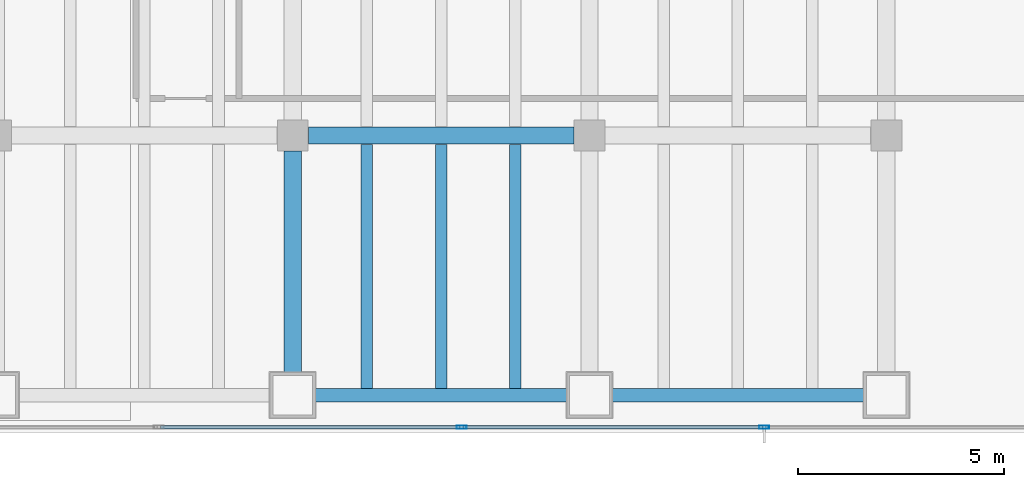
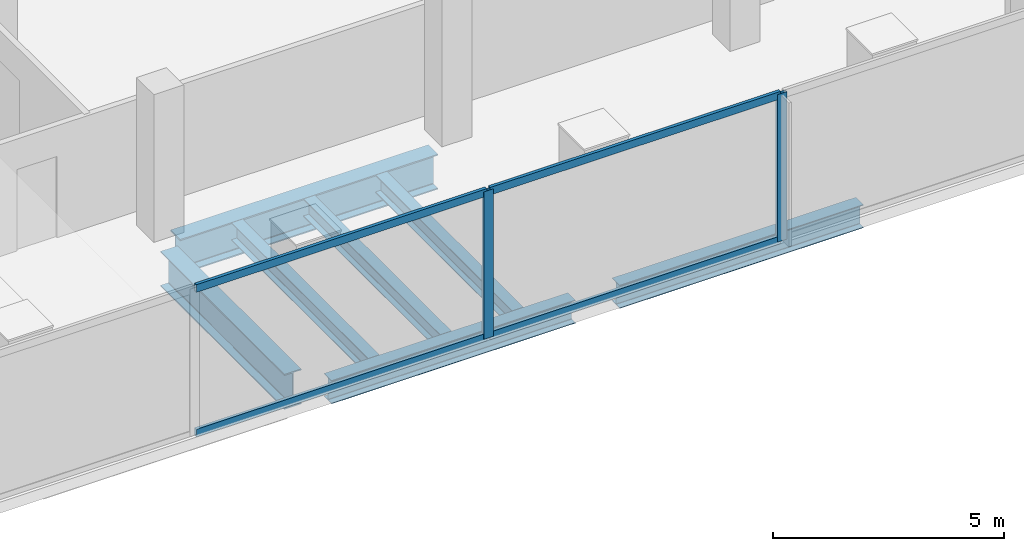
# One storey, part 16 of 32: 7 beams, 6 members, 1 element without a shape of its own.
"""IFC4 building model written with IfcOpenShell, lengths in metres."""

from ifc_helpers import new_model, si_unit, direction, frame, origin, origin_2d, place, context, subcontext, project, spatial, hollow_rectangle, i_section, extrude, material, material_profile, profile_set, type_object, element, aggregate, save


model = new_model("IFC4")

# Units and contexts
model_context = context("Model", 3, precision=1e-05, world=origin(), true_north=direction((0.0, 1.0)))
body_context = subcontext(model_context, "Body", "Model", "MODEL_VIEW")
ifc_project = project(units=[si_unit("LENGTHUNIT", "METRE"), si_unit("AREAUNIT", "SQUARE_METRE"), si_unit("VOLUMEUNIT", "CUBIC_METRE"), si_unit("PLANEANGLEUNIT", "RADIAN"), si_unit("MASSUNIT", "GRAM", prefix="KILO")], contexts=[model_context])

# Site, building, storey
site_placement = place(None, origin())
site = spatial("IfcSite", under=ifc_project, at=site_placement, CompositionType="ELEMENT")
building_placement = place(site_placement, origin())
building = spatial("IfcBuilding", under=site, at=building_placement, Name="Cobrela Telecom Tower", CompositionType="ELEMENT")
storey_placement = place(building_placement, frame((0.0, 0.0, 22.050048828125)))
storey = spatial("IfcBuildingStorey", under=building, at=storey_placement, Name="L05", CompositionType="ELEMENT", Elevation=22.050048828125)

# Beams
ifc_material_1 = material(Name="Steel ASTM A992 Grade 50", Category="steel")
ifc_material_profile_1 = material_profile(ifc_material_1, i_section(OverallWidth=0.4189453125, OverallDepth=0.927001953125, WebThickness=0.019287109375, FlangeThickness=0.031982421875, FilletRadius=0.02392578125, at=origin_2d()), Name="W36X231")
ifc_profile_set_1 = profile_set([ifc_material_profile_1], Name="Steel ASTM A992 Grade 50")
beam_type_1 = type_object("IfcBeamType", Name="BM-GIRD-02", PredefinedType="USERDEFINED", material=ifc_profile_set_1)
beam_1_placement = place(storey_placement, frame((65.179931640625, 7.199951171875, -0.753662109375), z_axis=(1.0, 0.0, 0.0), x_axis=(0.0, 1.0, 0.0)))
element("IfcBeam", 1, at=beam_1_placement, inside=storey, type_object=beam_type_1, Name="L05 Primary Girder X18", ObjectType="GIRDER", PredefinedType="USERDEFINED", context=body_context, shape_type="SweptSolid", body=[
    extrude(i_section(OverallWidth=0.4189453125, OverallDepth=0.927001953125, WebThickness=0.019287109375, FlangeThickness=0.031982421875, FilletRadius=0.02392578125, at=origin_2d()), origin(), (0.0, 0.0, 1.0), 6.440185546875),
])
beam_2_placement = place(storey_placement, frame((64.800048828125, 1.455078125, -0.753662109375), z_axis=(0.0, 1.0, 0.0), x_axis=(-1.0, 0.0, 0.0)))
element("IfcBeam", 2, at=beam_2_placement, inside=storey, type_object=beam_type_1, Name="L05 Primary Girder Y91", ObjectType="GIRDER", PredefinedType="USERDEFINED", context=body_context, shape_type="SweptSolid", body=[
    extrude(i_section(OverallWidth=0.4189453125, OverallDepth=0.927001953125, WebThickness=0.019287109375, FlangeThickness=0.031982421875, FilletRadius=0.02392578125, at=origin_2d()), origin(), (0.0, 0.0, 1.0), 5.364990234375),
])
ifc_material_profile_2 = material_profile(ifc_material_1, i_section(OverallWidth=0.281982421875, OverallDepth=0.467041015625, WebThickness=0.01220703125, FlangeThickness=0.01953125, FilletRadius=0.012939453125, at=origin_2d()), Name="W18X86")
ifc_profile_set_2 = profile_set([ifc_material_profile_2], Name="Steel ASTM A992 Grade 50")
beam_type_2 = type_object("IfcBeamType", Name="BM-JOIST-02", PredefinedType="JOIST", material=ifc_profile_set_2)
for number, where, z_axis, x_axis, name in (
    (3, (66.60009765625, 1.0673828125, -0.5234375), (0.0, 1.0, 0.0), (-1.0, 0.0, 0.0), "L05 Secondary Composite Floor Beam J118"),
    (4, (68.39990234375, 1.0673828125, -0.5234375), (0.0, 1.0, 0.0), (-1.0, 0.0, 0.0), "L05 Secondary Composite Floor Beam J121"),
    (5, (70.199951171875, 1.0673828125, -0.5234375), (0.0, 1.0, 0.0), (-1.0, 0.0, 0.0), "L05 Secondary Composite Floor Beam J124"),
):
    element("IfcBeam", number, at=place(storey_placement, frame(where, z_axis=z_axis, x_axis=x_axis)), inside=storey, type_object=beam_type_2, Name=name, PredefinedType="JOIST", context=body_context, shape_type="SweptSolid", body=[
        extrude(i_section(OverallWidth=0.281982421875, OverallDepth=0.467041015625, WebThickness=0.01220703125, FlangeThickness=0.01953125, FilletRadius=0.012939453125, at=origin_2d()), origin(), (0.0, 0.0, 1.0), 5.918212890625),
    ])
ifc_material_profile_3 = material_profile(ifc_material_1, i_section(OverallWidth=0.324951171875, OverallDepth=0.612060546875, WebThickness=0.0126953125, FlangeThickness=0.01904296875, FilletRadius=0.014892578125, at=origin_2d()), Name="W24X104")
ifc_profile_set_3 = profile_set([ifc_material_profile_3], Name="Steel ASTM A992 Grade 50")
beam_type_3 = type_object("IfcBeamType", Name="BM-SPAND-02", PredefinedType="SPANDREL", material=ifc_profile_set_3)
for number, where, z_axis, x_axis, name in (
    (6, (65.35498046875, 0.89990234375, -0.595947265625), (1.0, 0.0, 0.0), (0.0, 1.0, 0.0), "L05 Perimeter Spandrel X08"),
    (7, (72.554931640625, 0.89990234375, -0.595947265625), (1.0, 0.0, 0.0), (0.0, 1.0, 0.0), "L05 Perimeter Spandrel X09"),
):
    element("IfcBeam", number, at=place(storey_placement, frame(where, z_axis=z_axis, x_axis=x_axis)), inside=storey, type_object=beam_type_3, Name=name, PredefinedType="SPANDREL", context=body_context, shape_type="SweptSolid", body=[
        extrude(i_section(OverallWidth=0.324951171875, OverallDepth=0.612060546875, WebThickness=0.0126953125, FlangeThickness=0.01904296875, FilletRadius=0.014892578125, at=origin_2d()), origin(), (0.0, 0.0, 1.0), 6.090087890625),
    ])

# Curtain wall, members
ifc_material_2 = material(Name="Anodized Bronze Aluminium 6063-T6", Category="aluminium")
curtain_wall_type = type_object("IfcCurtainWallType", Name="CW-SYS-CONC", PredefinedType="USERDEFINED", material=ifc_material_2)
curtain_wall_placement = place(storey_placement, origin())
curtain_wall = element("IfcCurtainWall", 8, at=curtain_wall_placement, inside=storey, type_object=curtain_wall_type, Name="L05 Unitised Bronze Curtain Wall 17", ObjectType="UNITISED CURTAIN WALL", PredefinedType="USERDEFINED")
ifc_material_profile_4 = material_profile(ifc_material_2, hollow_rectangle(XDim=0.080078125, YDim=0.239990234375, WallThickness=0.0048828125, at=origin_2d()), Name="ALU 80x240x5")
ifc_profile_set_4 = profile_set([ifc_material_profile_4], Name="Anodized Bronze Aluminium 6063-T6")
member_type_1 = type_object("IfcMemberType", Name="CW-SYS-CONC-MUL", PredefinedType="MULLION", material=ifc_profile_set_4)
member_1_placement = place(storey_placement, frame((76.23828125, 0.1201171875, 0.0), z_axis=(0.0, 0.0, 1.0), x_axis=(0.0, -1.0, 0.0)))
member_1 = element("IfcMember", 9, at=member_1_placement, type_object=member_type_1, Name="CW-CONC mullion 2", PredefinedType="MULLION", context=body_context, shape_type="SweptSolid", body=[
    extrude(hollow_rectangle(XDim=0.080078125, YDim=0.239990234375, WallThickness=0.0048828125, at=origin_2d()), origin(), (0.0, 0.0, 1.0), 3.89990234375),
])
member_2_placement = place(storey_placement, frame((68.896484375, 0.1201171875, 0.0), z_axis=(0.0, 0.0, 1.0), x_axis=(0.0, -1.0, 0.0)))
member_2 = element("IfcMember", 10, at=member_2_placement, type_object=member_type_1, Name="CW-CONC mullion 3", PredefinedType="MULLION", context=body_context, shape_type="SweptSolid", body=[
    extrude(hollow_rectangle(XDim=0.080078125, YDim=0.239990234375, WallThickness=0.0048828125, at=origin_2d()), origin(), (0.0, 0.0, 1.0), 3.89990234375),
])
ifc_material_profile_5 = material_profile(ifc_material_2, hollow_rectangle(XDim=0.080078125, YDim=0.199951171875, WallThickness=0.00390625, at=origin_2d()), Name="ALU 80x200x4")
ifc_profile_set_5 = profile_set([ifc_material_profile_5], Name="Anodized Bronze Aluminium 6063-T6")
member_type_2 = type_object("IfcMemberType", Name="CW-SYS-CONC-TRN", PredefinedType="USERDEFINED", material=ifc_profile_set_5)
member_3_placement = place(storey_placement, frame((76.1982421875, 0.1201171875, 0.0400390625), z_axis=(-1.0, 0.0, 0.0), x_axis=(0.0, -1.0, 0.0)))
member_3 = element("IfcMember", 11, at=member_3_placement, type_object=member_type_2, Name="CW-CONC transom 2.1", ObjectType="TRANSOM", PredefinedType="USERDEFINED", context=body_context, shape_type="SweptSolid", body=[
    extrude(hollow_rectangle(XDim=0.080078125, YDim=0.199951171875, WallThickness=0.00390625, at=origin_2d()), origin(), (0.0, 0.0, 1.0), 7.261962890625),
])
member_4_placement = place(storey_placement, frame((76.1982421875, 0.1201171875, 3.85986328125), z_axis=(-1.0, 0.0, 0.0), x_axis=(0.0, -1.0, 0.0)))
member_4 = element("IfcMember", 12, at=member_4_placement, type_object=member_type_2, Name="CW-CONC transom 2.2", ObjectType="TRANSOM", PredefinedType="USERDEFINED", context=body_context, shape_type="SweptSolid", body=[
    extrude(hollow_rectangle(XDim=0.080078125, YDim=0.199951171875, WallThickness=0.00390625, at=origin_2d()), origin(), (0.0, 0.0, 1.0), 7.261962890625),
])
member_5_placement = place(storey_placement, frame((68.8564453125, 0.1201171875, 0.0400390625), z_axis=(-1.0, 0.0, 0.0), x_axis=(0.0, -1.0, 0.0)))
member_5 = element("IfcMember", 13, at=member_5_placement, type_object=member_type_2, Name="CW-CONC transom 3.1", ObjectType="TRANSOM", PredefinedType="USERDEFINED", context=body_context, shape_type="SweptSolid", body=[
    extrude(hollow_rectangle(XDim=0.080078125, YDim=0.199951171875, WallThickness=0.00390625, at=origin_2d()), origin(), (0.0, 0.0, 1.0), 7.261962890625),
])
member_6_placement = place(storey_placement, frame((68.8564453125, 0.1201171875, 3.85986328125), z_axis=(-1.0, 0.0, 0.0), x_axis=(0.0, -1.0, 0.0)))
member_6 = element("IfcMember", 14, at=member_6_placement, type_object=member_type_2, Name="CW-CONC transom 3.2", ObjectType="TRANSOM", PredefinedType="USERDEFINED", context=body_context, shape_type="SweptSolid", body=[
    extrude(hollow_rectangle(XDim=0.080078125, YDim=0.199951171875, WallThickness=0.00390625, at=origin_2d()), origin(), (0.0, 0.0, 1.0), 7.261962890625),
])
aggregate(curtain_wall, [member_1, member_2, member_3, member_4, member_5, member_6])

save(model, "model.ifc")
